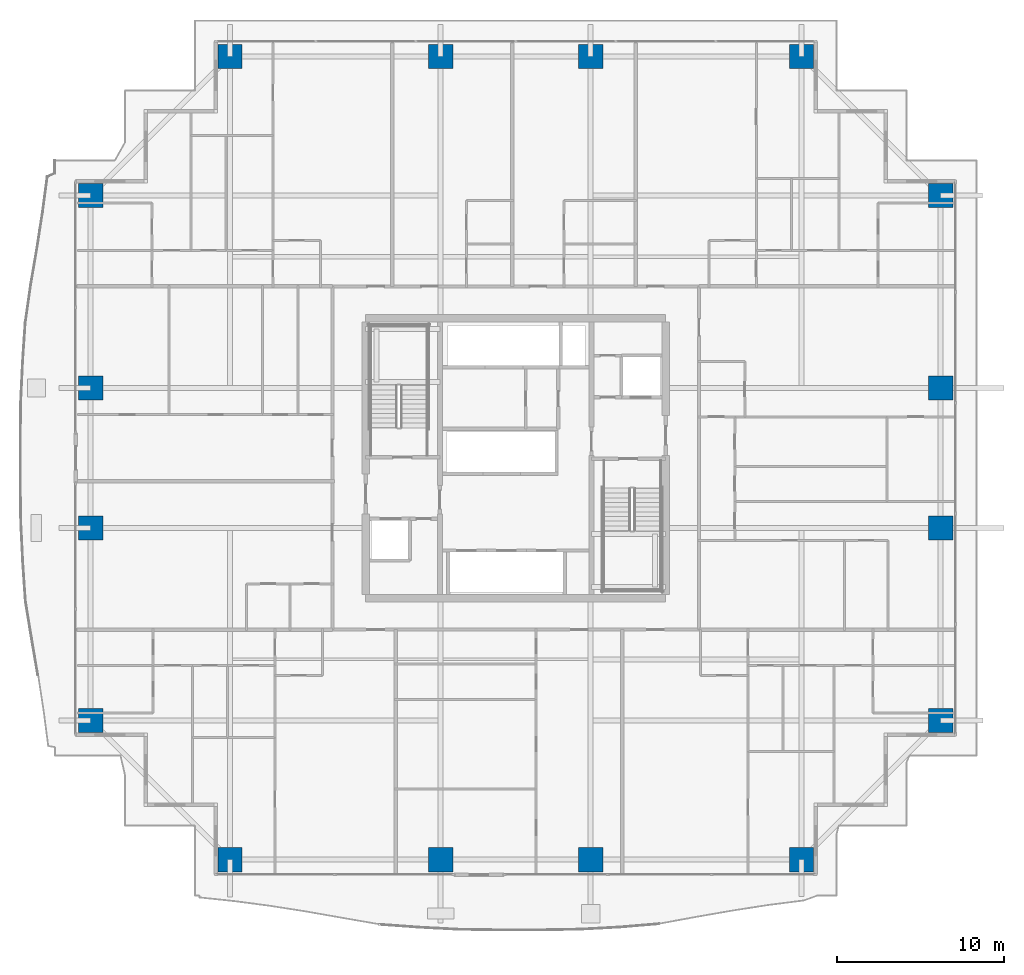
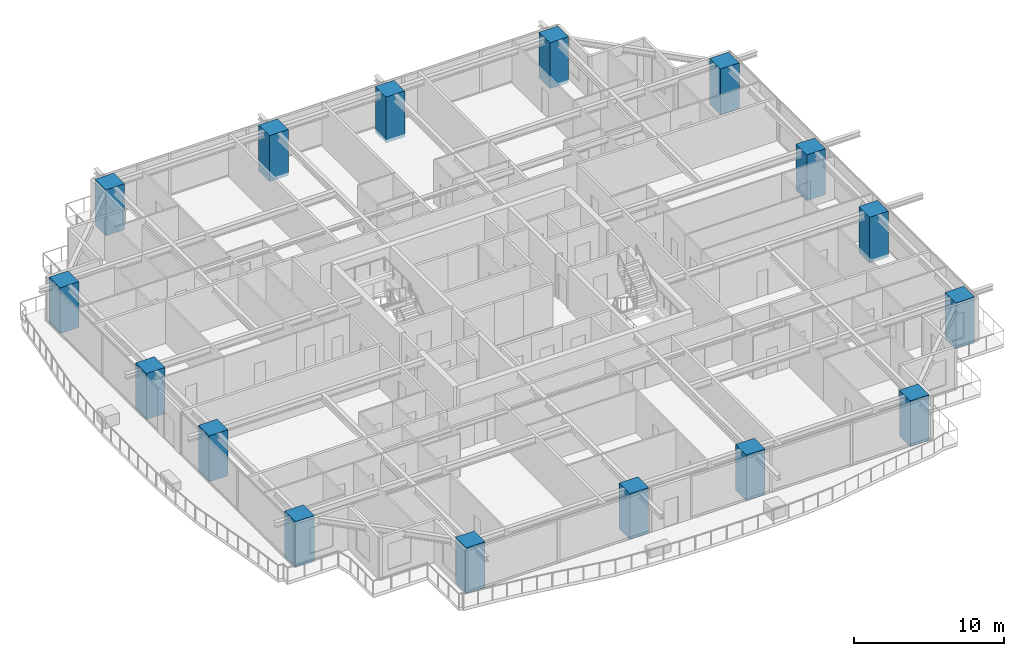
# One storey, part 1 of 41: 16 columns.
"""IFC4 building model written with IfcOpenShell, lengths in metres."""

import ifcopenshell
import ifcopenshell.guid

model = None  # the IFC model being written
_history = None  # IfcOwnerHistory: only IFC2X3 demands one
_inside = {}  # id of a spatial element -> (the spatial element, [elements in it])
_under = {}  # id of a project, library or spatial element -> (it, [spatial elements below it])
_declared = {}  # id of a project -> (the project, [libraries it declares])
_typed = {}  # id of a type object -> (the type object, [elements of that type])
_made_of = {}  # id of a material, layer set ... -> (it, [elements and type objects made of it])


def new_model(schema):
    """Start an empty IFC model of exactly this schema.

    Asked for "IFC4X3", IfcOpenShell would pick the latest addendum, in which some entities
    have other attributes; the version numbers below select the first issue.
    IFC2X3 requires an IfcOwnerHistory on every rooted entity: one is made here for all.
    """
    global model, _history
    if schema == "IFC4X3":
        model = ifcopenshell.file(schema_version=(4, 3, 0, 0))
    else:
        model = ifcopenshell.file(schema=schema)
    _inside.clear()
    _under.clear()
    _declared.clear()
    _typed.clear()
    _made_of.clear()
    _history = None
    if model.schema == "IFC2X3":
        org = make("IfcOrganization", Name="unknown")
        user = make(
            "IfcPersonAndOrganization",
            ThePerson=make("IfcPerson", FamilyName="unknown"),
            TheOrganization=org,
        )
        app = make(
            "IfcApplication",
            ApplicationDeveloper=org,
            Version="unknown",
            ApplicationFullName="unknown",
            ApplicationIdentifier="unknown",
        )
        _history = make(
            "IfcOwnerHistory",
            OwningUser=user,
            OwningApplication=app,
            ChangeAction="ADDED",
            CreationDate=0,
        )
    return model


def make(cls, **values):
    """One entity of the class cls with the attributes given. An attribute that is None is left unset."""
    return model.create_entity(
        cls, **{name: value for name, value in values.items() if value is not None}
    )


def rooted(cls, **values):
    """An entity with a GlobalId (a new one), such as an element, a storey or a relation."""
    return make(cls, GlobalId=ifcopenshell.guid.new(), OwnerHistory=_history, **values)


def si_unit(unit_type, name, prefix=None):
    """IfcSIUnit, for example si_unit("LENGTHUNIT", "METRE", prefix="MILLI")."""
    return make("IfcSIUnit", UnitType=unit_type, Prefix=prefix, Name=name)


def assignment(units):
    """IfcUnitAssignment: the units of a project."""
    return None if units is None else make("IfcUnitAssignment", Units=units)


def point(xyz):
    """IfcCartesianPoint."""
    return None if xyz is None else make("IfcCartesianPoint", Coordinates=xyz)


def direction(xyz):
    """IfcDirection."""
    return None if xyz is None else make("IfcDirection", DirectionRatios=xyz)


def frame(location, z_axis=None, x_axis=None):
    """IfcAxis2Placement3D, a coordinate frame: its origin and axes. An axis left out is left unset."""
    return make(
        "IfcAxis2Placement3D",
        Location=point(location),
        Axis=direction(z_axis),
        RefDirection=direction(x_axis),
    )


def frame_2d(location, x_axis=None):
    """IfcAxis2Placement2D, a coordinate frame in the plane: its origin and x axis."""
    return make(
        "IfcAxis2Placement2D", Location=point(location), RefDirection=direction(x_axis)
    )


def origin():
    """The frame at (0, 0, 0) with its axes left unset."""
    return frame((0.0, 0.0, 0.0))


def origin_2d():
    """The frame at (0, 0) in the plane with its x axis left unset."""
    return frame_2d((0.0, 0.0))


def place(relative_to, where):
    """IfcLocalPlacement: puts the frame where relative to a parent placement (None: the world)."""
    return make(
        "IfcLocalPlacement", PlacementRelTo=relative_to, RelativePlacement=where
    )


def context(
    kind, dimensions, precision=None, world=None, true_north=None, identifier=None
):
    """IfcGeometricRepresentationContext, for example the 3D "Model" context."""
    return make(
        "IfcGeometricRepresentationContext",
        ContextIdentifier=identifier,
        ContextType=kind,
        CoordinateSpaceDimension=dimensions,
        Precision=precision,
        WorldCoordinateSystem=world,
        TrueNorth=true_north,
    )


def subcontext(parent, identifier, kind, view, scale=None):
    """IfcGeometricRepresentationSubContext, for example "Body" below "Model"."""
    return make(
        "IfcGeometricRepresentationSubContext",
        ContextIdentifier=identifier,
        ContextType=kind,
        ParentContext=parent,
        TargetScale=scale,
        TargetView=view,
    )


def project(units=None, contexts=None):
    """IfcProject with its units and contexts."""
    return rooted(
        "IfcProject",
        Name="project",
        RepresentationContexts=contexts,
        UnitsInContext=assignment(units),
    )


def spatial(cls, under=None, at=None, **own):
    """A site, building, storey or space (cls), placed at a placement, below another one or the project."""
    s = rooted(cls, ObjectPlacement=at, **own)
    if under is not None:
        _under.setdefault(under.id(), (under, []))[1].append(s)
    return s


def profile(cls, at=None, kind="AREA", **sizes):
    """A parametric profile (cls). Its sizes go by their IFC names, for example OverallWidth=200.0."""
    return make(cls, ProfileType=kind, Position=at, **sizes)


def rectangle(**sizes):
    """IfcRectangleProfileDef."""
    return profile("IfcRectangleProfileDef", **sizes)


def extrude(swept, where, along, depth):
    """IfcExtrudedAreaSolid: the profile swept, set in the frame where, extruded along a direction by depth."""
    return make(
        "IfcExtrudedAreaSolid",
        SweptArea=swept,
        Position=where,
        ExtrudedDirection=direction(along),
        Depth=depth,
    )


def shape(context_of_items, identifier, shape_type, items):
    """IfcShapeRepresentation: the items that make up one representation, for example the "Body"."""
    return make(
        "IfcShapeRepresentation",
        ContextOfItems=context_of_items,
        RepresentationIdentifier=identifier,
        RepresentationType=shape_type,
        Items=items,
    )


def source(mapping_origin, context_of_items, identifier, shape_type, items):
    """IfcRepresentationMap: a shape defined once, which mapped items show again and again."""
    return make(
        "IfcRepresentationMap",
        MappingOrigin=mapping_origin,
        MappedRepresentation=shape(context_of_items, identifier, shape_type, items),
    )


def transform(
    local_origin,
    x_axis=None,
    y_axis=None,
    z_axis=None,
    scale=None,
    scale2=None,
    scale3=None,
    uniform=True,
):
    """IfcCartesianTransformationOperator3D, or its non-uniform kind. x_axis, y_axis, z_axis: its Axis1, 2, 3."""
    if uniform:
        return make(
            "IfcCartesianTransformationOperator3D",
            Axis1=direction(x_axis),
            Axis2=direction(y_axis),
            LocalOrigin=point(local_origin),
            Scale=scale,
            Axis3=direction(z_axis),
        )
    return make(
        "IfcCartesianTransformationOperator3DnonUniform",
        Axis1=direction(x_axis),
        Axis2=direction(y_axis),
        LocalOrigin=point(local_origin),
        Scale=scale,
        Axis3=direction(z_axis),
        Scale2=scale2,
        Scale3=scale3,
    )


def mapped(mapping_source, mapping_target):
    """IfcMappedItem: shows the shape of a source again, moved by a transform."""
    return make(
        "IfcMappedItem", MappingSource=mapping_source, MappingTarget=mapping_target
    )


def material(Name=None, Category=None):
    """IfcMaterial."""
    return make("IfcMaterial", Name=Name, Category=Category)


def material_profile(
    of_material, cross_section, Name=None, Category=None, Priority=None
):
    """IfcMaterialProfile: a cross section and its material."""
    return make(
        "IfcMaterialProfile",
        Name=Name,
        Material=of_material,
        Profile=cross_section,
        Priority=Priority,
        Category=Category,
    )


def profile_set(profiles, Name=None, composite=None):
    """IfcMaterialProfileSet."""
    return make(
        "IfcMaterialProfileSet",
        Name=Name,
        MaterialProfiles=profiles,
        CompositeProfile=composite,
    )


def made_of(thing, what):
    """Note that an element or type object is made of a material, layer set ...; save() writes the relation."""
    if what is not None:
        _made_of.setdefault(what.id(), (what, []))[1].append(thing)
    return thing


def type_object(cls, material=None, **own):
    """A type object (cls), such as IfcWallType, which elements share."""
    return made_of(rooted(cls, **own), material)


def element(
    cls,
    number,
    at=None,
    inside=None,
    cuts=None,
    type_object=None,
    material=None,
    context=None,
    identifier="Body",
    shape_type=None,
    held_by="IfcProductDefinitionShape",
    body=None,
    shapes=None,
    **own,
):
    """One element of the class cls, such as IfcWall. Its Tag is "e" and its number.

    at: its placement. inside: the storey or other place that contains it. cuts: it is an
    opening in that element (IfcRelVoidsElement). A single representation is given by context,
    identifier, shape_type and body (its items); several are given by shapes. held_by: the class
    of the entity that holds the representations. save() writes the other relations.
    """
    e = rooted(cls, Tag="e%d" % number, ObjectPlacement=at, **own)
    if body is not None:
        shapes = [shape(context, identifier, shape_type, body)]
    if shapes is not None:
        e.Representation = make(held_by, Representations=shapes)
    if inside is not None:
        _inside.setdefault(inside.id(), (inside, []))[1].append(e)
    if cuts is not None:
        rooted(
            "IfcRelVoidsElement", RelatingBuildingElement=cuts, RelatedOpeningElement=e
        )
    if type_object is not None:
        _typed.setdefault(type_object.id(), (type_object, []))[1].append(e)
    return made_of(e, material)


def aggregate(whole, parts):
    """IfcRelAggregates: a whole, such as a stair, and the parts it consists of."""
    return rooted("IfcRelAggregates", RelatingObject=whole, RelatedObjects=parts)


def save(model, path):
    """Write the relations noted so far, then the file.

    IfcRelAggregates (storeys below a building ...), IfcRelContainedInSpatialStructure (elements
    in a storey), IfcRelDefinesByType, IfcRelAssociatesMaterial and IfcRelDeclares: one each for
    every whole, place, type object, material and project.
    """
    for whole, parts in _under.values():
        aggregate(whole, parts)
    for where, things in _inside.values():
        rooted(
            "IfcRelContainedInSpatialStructure",
            RelatedElements=things,
            RelatingStructure=where,
        )
    for kind, things in _typed.values():
        rooted("IfcRelDefinesByType", RelatedObjects=things, RelatingType=kind)
    for what, things in _made_of.values():
        rooted("IfcRelAssociatesMaterial", RelatedObjects=things, RelatingMaterial=what)
    for by, libraries in _declared.values():
        rooted("IfcRelDeclares", RelatingContext=by, RelatedDefinitions=libraries)
    model.write(path)


model = new_model("IFC4")

# Units and contexts
model_context = context("Model", 3, precision=1e-05, world=origin(), true_north=direction((0.0, 1.0)))
body_context = subcontext(model_context, "Body", "Model", "MODEL_VIEW")
ifc_project = project(units=[si_unit("LENGTHUNIT", "METRE"), si_unit("AREAUNIT", "SQUARE_METRE"), si_unit("VOLUMEUNIT", "CUBIC_METRE"), si_unit("PLANEANGLEUNIT", "RADIAN"), si_unit("MASSUNIT", "GRAM", prefix="KILO")], contexts=[model_context])

# Site, building, storey
site_placement = place(None, origin())
site = spatial("IfcSite", under=ifc_project, at=site_placement, CompositionType="ELEMENT")
building_placement = place(site_placement, origin())
building = spatial("IfcBuilding", under=site, at=building_placement, Name="Serunith Strait Residences", CompositionType="ELEMENT")
storey_placement = place(building_placement, frame((0.0, 0.0, 45.449951171875)))
storey = spatial("IfcBuildingStorey", under=building, at=storey_placement, Name="L10", CompositionType="ELEMENT", Elevation=45.449951171875)

# Columns
ifc_material = material(Name="Concrete C90/105", Category="concrete")
ifc_material_profile = material_profile(ifc_material, rectangle(XDim=1.449951171875, YDim=1.449951171875, at=origin_2d()), Name="RC 1450x1450")
ifc_profile_set = profile_set([ifc_material_profile], Name="Concrete C90/105")
column_type = type_object("IfcColumnType", Name="COL-RC-1450", PredefinedType="COLUMN", material=ifc_profile_set)
shared_shape = source(origin(), body_context, "Body", "SweptSolid", [
    extrude(rectangle(XDim=1.449951171875, YDim=1.449951171875, at=origin_2d()), origin(), (0.0, 0.0, 1.0), 3.75),
])
for number, where, z_axis, x_axis, name in (
    (1, (15.25, 1.10009765625, -0.260009765625), (0.0, 0.0, 1.0), (1.0, 0.0, 0.0), "L10 Tower Mega-Column TC-S1"),
    (2, (27.89990234375, 1.10009765625, -0.260009765625), (0.0, 0.0, 1.0), (1.0, 0.0, 0.0), "L10 Tower Mega-Column TC-S2"),
    (3, (36.89990234375, 1.10009765625, -0.260009765625), (0.0, 0.0, 1.0), (1.0, 0.0, 0.0), "L10 Tower Mega-Column TC-S3"),
    (4, (49.550048828125, 1.10009765625, -0.260009765625), (0.0, 0.0, 1.0), (1.0, 0.0, 0.0), "L10 Tower Mega-Column TC-S4"),
    (5, (15.25, 49.300048828125, -0.260009765625), (0.0, 0.0, 1.0), (1.0, 0.0, 0.0), "L10 Tower Mega-Column TC-N1"),
    (6, (27.89990234375, 49.300048828125, -0.260009765625), (0.0, 0.0, 1.0), (1.0, 0.0, 0.0), "L10 Tower Mega-Column TC-N2"),
    (7, (36.89990234375, 49.300048828125, -0.260009765625), (0.0, 0.0, 1.0), (1.0, 0.0, 0.0), "L10 Tower Mega-Column TC-N3"),
    (8, (49.550048828125, 49.300048828125, -0.260009765625), (0.0, 0.0, 1.0), (1.0, 0.0, 0.0), "L10 Tower Mega-Column TC-N4"),
    (9, (57.89990234375, 9.449951171875, -0.260009765625), (0.0, 0.0, 1.0), (1.0, 0.0, 0.0), "L10 Tower Mega-Column TC-E1"),
    (10, (57.89990234375, 21.0, -0.260009765625), (0.0, 0.0, 1.0), (1.0, 0.0, 0.0), "L10 Tower Mega-Column TC-E2"),
    (11, (57.89990234375, 29.39990234375, -0.260009765625), (0.0, 0.0, 1.0), (1.0, 0.0, 0.0), "L10 Tower Mega-Column TC-E3"),
    (12, (57.89990234375, 40.949951171875, -0.260009765625), (0.0, 0.0, 1.0), (1.0, 0.0, 0.0), "L10 Tower Mega-Column TC-E4"),
    (13, (6.89990234375, 9.449951171875, -0.260009765625), (0.0, 0.0, 1.0), (1.0, 0.0, 0.0), "L10 Tower Mega-Column TC-W1"),
    (14, (6.89990234375, 21.0, -0.260009765625), (0.0, 0.0, 1.0), (1.0, 0.0, 0.0), "L10 Tower Mega-Column TC-W2"),
    (15, (6.89990234375, 29.39990234375, -0.260009765625), (0.0, 0.0, 1.0), (1.0, 0.0, 0.0), "L10 Tower Mega-Column TC-W3"),
    (16, (6.89990234375, 40.949951171875, -0.260009765625), (0.0, 0.0, 1.0), (1.0, 0.0, 0.0), "L10 Tower Mega-Column TC-W4"),
):
    element("IfcColumn", number, at=place(storey_placement, frame(where, z_axis=z_axis, x_axis=x_axis)), inside=storey, type_object=column_type, Name=name, PredefinedType="COLUMN", context=body_context, shape_type="MappedRepresentation", body=[
        mapped(shared_shape, transform((0.0, 0.0, 0.0), scale=1.0)),
    ])

save(model, "model.ifc")
